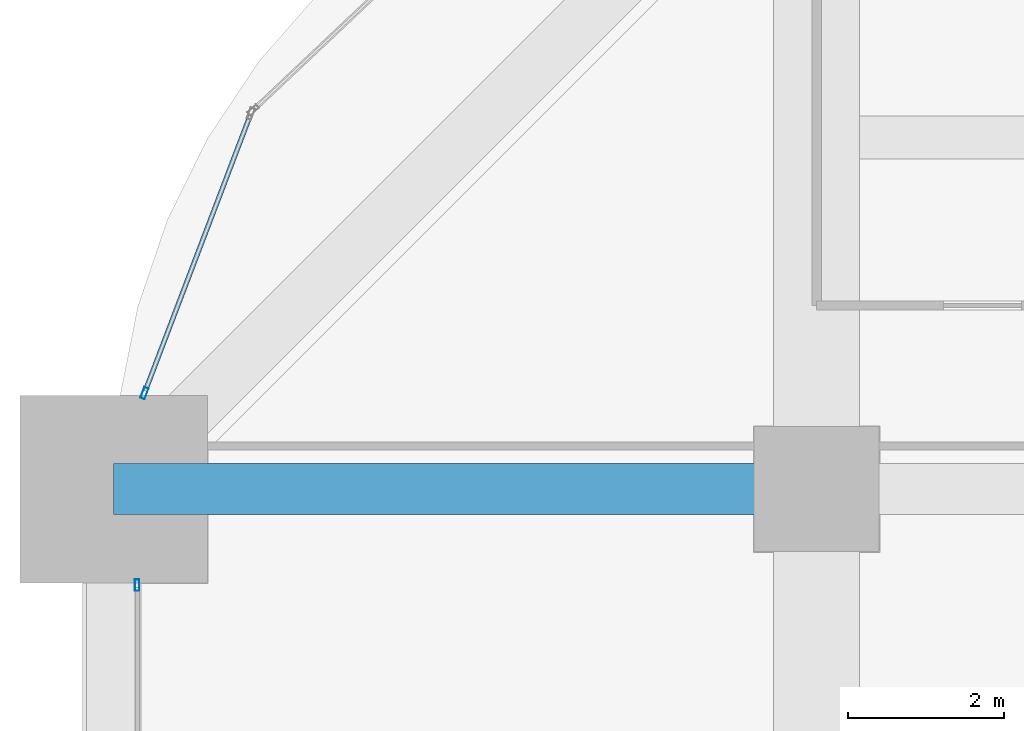
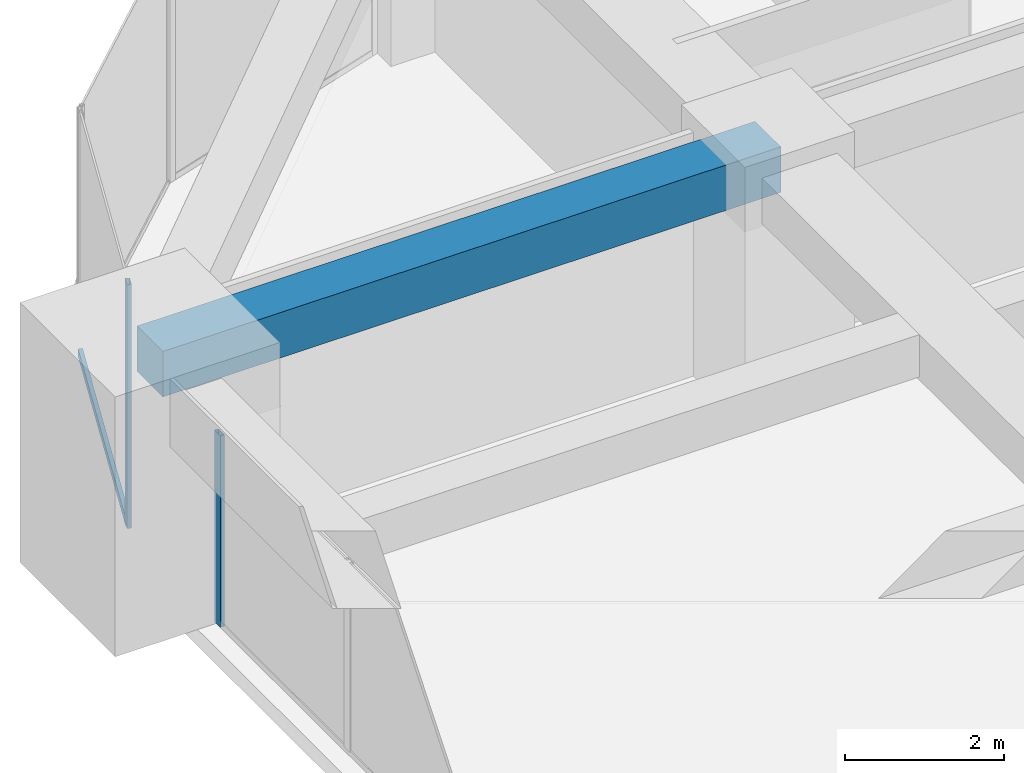
# One storey, part 20 of 33: 3 members, 1 beam, 2 elements without a shape of their own.
"""IFC4 building model written with IfcOpenShell, lengths in metres."""

from ifc_helpers import new_model, si_unit, direction, frame, origin, origin_2d, place, context, subcontext, project, spatial, rectangle, hollow_rectangle, extrude, material, material_profile, profile_set, type_object, element, aggregate, save


model = new_model("IFC4")

# Units and contexts
model_context = context("Model", 3, precision=1e-05, world=origin(), true_north=direction((0.0, 1.0)))
body_context = subcontext(model_context, "Body", "Model", "MODEL_VIEW")
ifc_project = project(units=[si_unit("LENGTHUNIT", "METRE"), si_unit("AREAUNIT", "SQUARE_METRE"), si_unit("VOLUMEUNIT", "CUBIC_METRE"), si_unit("PLANEANGLEUNIT", "RADIAN"), si_unit("MASSUNIT", "GRAM", prefix="KILO")], contexts=[model_context])

# Site, building, storey
site_placement = place(None, origin())
site = spatial("IfcSite", under=ifc_project, at=site_placement, CompositionType="ELEMENT")
building_placement = place(site_placement, origin())
building = spatial("IfcBuilding", under=site, at=building_placement, Name="Zorevar Civic Tower", CompositionType="ELEMENT")
storey_placement = place(building_placement, frame((0.0, 0.0, 194.199951171875)))
storey = spatial("IfcBuildingStorey", under=building, at=storey_placement, Name="L47", CompositionType="ELEMENT", Elevation=194.199951171875)

# Beam
ifc_material_1 = material(Name="Concrete C50/60", Category="concrete")
ifc_material_profile_1 = material_profile(ifc_material_1, rectangle(XDim=0.64990234375, YDim=0.699951171875, at=origin_2d()), Name="RC 650x700")
ifc_profile_set_1 = profile_set([ifc_material_profile_1], Name="Concrete C50/60")
beam_type = type_object("IfcBeamType", Name="Beam RC 650x700", PredefinedType="BEAM", material=ifc_profile_set_1)
beam_placement = place(storey_placement, frame((0.0, 36.0, 3.400146484375), z_axis=(1.0, 0.0, 0.0), x_axis=(0.0, 1.0, 0.0)))
element("IfcBeam", 1, at=beam_placement, inside=storey, type_object=beam_type, Name="Girder L48", PredefinedType="BEAM", context=body_context, shape_type="SweptSolid", body=[
    extrude(rectangle(XDim=0.64990234375, YDim=0.699951171875, at=origin_2d()), origin(), (0.0, 0.0, 1.0), 9.0),
])

# Curtain wall, member
ifc_material_2 = material(Name="Dark grey solar-control glass in black aluminium frame", Category="aluminium")
curtain_wall_type = type_object("IfcCurtainWallType", Name="Curtain wall CW4 high zone", PredefinedType="NOTDEFINED", material=ifc_material_2)
curtain_wall_1_placement = place(storey_placement, origin())
curtain_wall_1 = element("IfcCurtainWall", 2, at=curtain_wall_1_placement, inside=storey, type_object=curtain_wall_type, Name="CW4 L47", PredefinedType="NOTDEFINED")
ifc_material_3 = material(Name="Aluminium, black anodised", Category="aluminium")
ifc_material_profile_2 = material_profile(ifc_material_3, hollow_rectangle(XDim=0.06005859375, YDim=0.14990234375, WallThickness=0.00390625, at=origin_2d()), Name="AL 150x60x4")
ifc_profile_set_2 = profile_set([ifc_material_profile_2], Name="Aluminium, black anodised")
member_type_1 = type_object("IfcMemberType", Name="CW4 mullion AL 150x60x4", PredefinedType="MULLION", material=ifc_profile_set_2)
member_1_placement = place(storey_placement, frame((0.300048828125, 34.77001953125, 0.0), z_axis=(0.0, 0.0, 1.0), x_axis=(-1.0, 0.0, 0.0)))
member_1 = element("IfcMember", 3, at=member_1_placement, type_object=member_type_1, Name="CW4 mullion 3", PredefinedType="MULLION", context=body_context, shape_type="SweptSolid", body=[
    extrude(hollow_rectangle(XDim=0.06005859375, YDim=0.14990234375, WallThickness=0.00390625, at=origin_2d()), origin(), (0.0, 0.0, 1.0), 2.949951171875),
])
aggregate(curtain_wall_1, [member_1])

# Curtain wall, members
curtain_wall_2_placement = place(storey_placement, origin())
curtain_wall_2 = element("IfcCurtainWall", 4, at=curtain_wall_2_placement, inside=storey, type_object=curtain_wall_type, Name="CW4 L47", PredefinedType="NOTDEFINED")
member_2_placement = place(storey_placement, frame((0.393798828125, 37.22802734375, 0.0), z_axis=(0.0, 0.0, 1.0), x_axis=(0.93458842801, -0.355730895803, 0.0)))
member_2 = element("IfcMember", 5, at=member_2_placement, type_object=member_type_1, Name="CW4 mullion 2", PredefinedType="MULLION", context=body_context, shape_type="SweptSolid", body=[
    extrude(hollow_rectangle(XDim=0.06005859375, YDim=0.14990234375, WallThickness=0.00390625, at=origin_2d()), origin(), (0.0, 0.0, 1.0), 3.75),
])
ifc_material_4 = material(Name="Aluminium, black anodised", Category="aluminium")
ifc_material_profile_3 = material_profile(ifc_material_4, hollow_rectangle(XDim=0.06005859375, YDim=0.1201171875, WallThickness=0.0029296875, at=origin_2d()), Name="AL 120x60x3")
ifc_profile_set_3 = profile_set([ifc_material_profile_3], Name="Aluminium, black anodised")
member_type_2 = type_object("IfcMemberType", Name="CW4 transom AL 120x60x3", PredefinedType="USERDEFINED", material=ifc_profile_set_3)
member_3_placement = place(storey_placement, frame((1.74462890625, 40.77685546875, 0.030029296875), z_axis=(-0.355728511406, -0.934589335576, 0.0), x_axis=(0.934589335576, -0.355728511406, 0.0)))
member_3 = element("IfcMember", 6, at=member_3_placement, type_object=member_type_2, Name="CW4 sill transom", ObjectType="TRANSOM", PredefinedType="USERDEFINED", context=body_context, shape_type="SweptSolid", body=[
    extrude(hollow_rectangle(XDim=0.06005859375, YDim=0.1201171875, WallThickness=0.0029296875, at=origin_2d()), origin(), (0.0, 0.0, 1.0), 3.76708984375),
])
aggregate(curtain_wall_2, [member_2, member_3])

save(model, "model.ifc")
